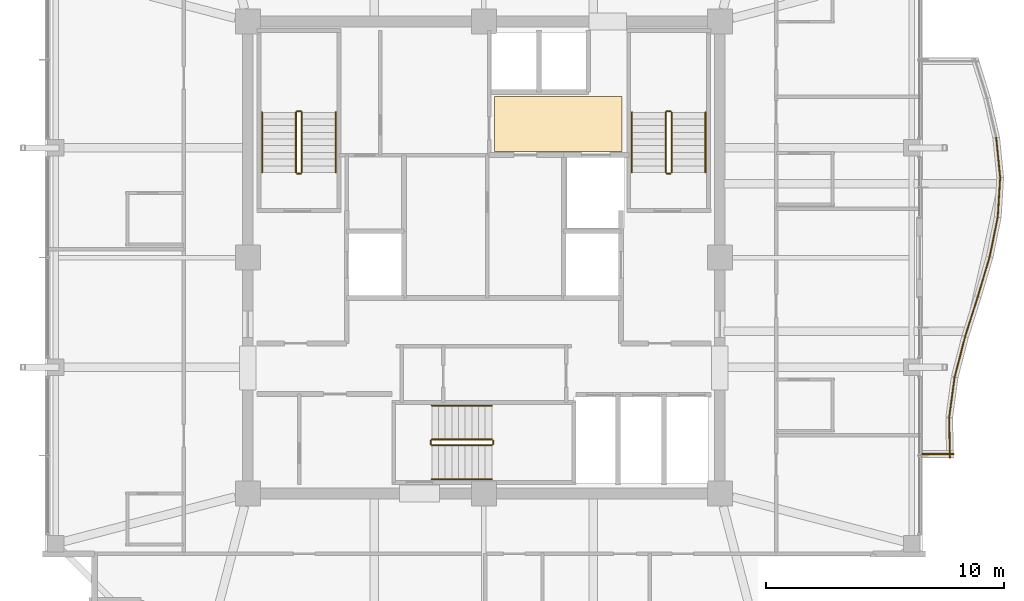
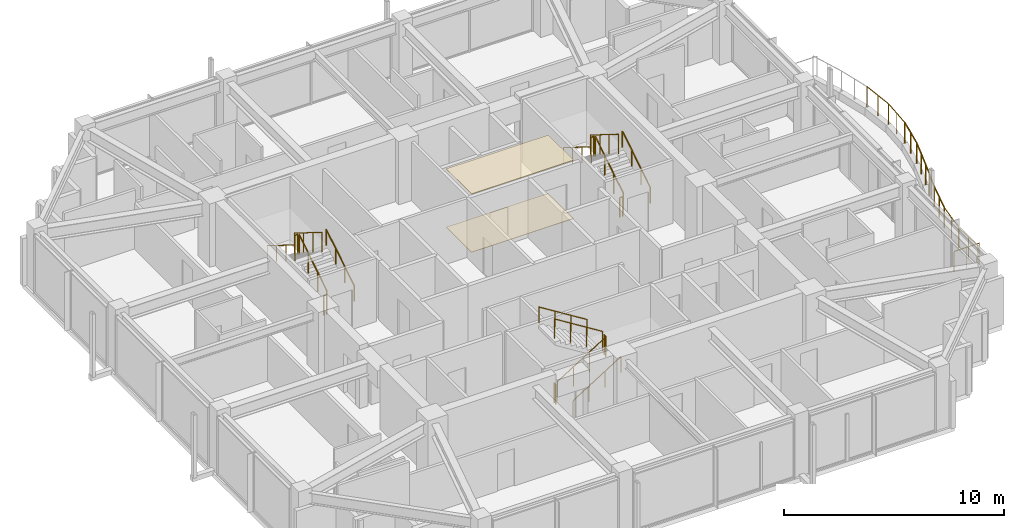
# One storey, part 28 of 29: 27 railings, 2 coverings.
"""IFC4 building model written with IfcOpenShell, lengths in metres."""

from ifc_helpers import new_model, si_unit, direction, frame, origin, origin_2d, place, context, subcontext, project, spatial, polyline, circle, outline, extrude, material, layer, layer_set, type_object, element, save


model = new_model("IFC4")

# Units and contexts
model_context = context("Model", 3, precision=1e-05, world=origin(), true_north=direction((0.0, 1.0)))
body_context = subcontext(model_context, "Body", "Model", "MODEL_VIEW")
ifc_project = project(units=[si_unit("LENGTHUNIT", "METRE"), si_unit("AREAUNIT", "SQUARE_METRE"), si_unit("VOLUMEUNIT", "CUBIC_METRE"), si_unit("PLANEANGLEUNIT", "RADIAN"), si_unit("MASSUNIT", "GRAM", prefix="KILO")], contexts=[model_context])

# Site, building, storey
site_placement = place(None, origin())
site = spatial("IfcSite", under=ifc_project, at=site_placement, CompositionType="ELEMENT")
building_placement = place(site_placement, origin())
building = spatial("IfcBuilding", under=site, at=building_placement, Name="Kolvaren Belvedere", CompositionType="ELEMENT")
storey_placement = place(building_placement, frame((0.0, 0.0, 244.39990234375)))
storey = spatial("IfcBuildingStorey", under=building, at=storey_placement, Name="L71", CompositionType="ELEMENT", Elevation=244.39990234375)

# Coverings
ifc_material_1 = material(Name="Acoustic perforated gypsum board", Category="gypsum")
ifc_layer_1 = layer(ifc_material_1, 0.02490234375)
ifc_layer_set_1 = layer_set([ifc_layer_1], Name="Acoustic perforated gypsum board")
covering_type_1 = type_object("IfcCoveringType", Name="COV-CEIL-GYP", PredefinedType="CEILING", material=ifc_layer_set_1)
covering_1_placement = place(storey_placement, frame((0.0, 0.0, 3.22509765625)))
element("IfcCovering", 1, at=covering_1_placement, inside=storey, type_object=covering_type_1, Name="L71 Lift Lobby Acoustic Baffle Ceiling", PredefinedType="CEILING", context=body_context, shape_type="SweptSolid", body=[
    extrude(outline(polyline([(0.449951171875, 4.449951171875), (5.800048828125, 4.449951171875), (5.800048828125, 6.75), (0.449951171875, 6.75), (0.449951171875, 4.449951171875)])), origin(), (0.0, 0.0, 1.0), 0.02490234375),
])
ifc_material_2 = material(Name="Engineered Pacific white oak", Category="timber")
ifc_layer_2 = layer(ifc_material_2, 0.02001953125)
ifc_layer_set_2 = layer_set([ifc_layer_2], Name="Engineered Pacific white oak")
covering_type_2 = type_object("IfcCoveringType", Name="COV-FLR-OAK", PredefinedType="FLOORING", material=ifc_layer_set_2)
covering_2_placement = place(storey_placement, origin())
element("IfcCovering", 2, at=covering_2_placement, inside=storey, type_object=covering_type_2, Name="L71 Lift Lobby Finish Flooring", PredefinedType="FLOORING", context=body_context, shape_type="SweptSolid", body=[
    extrude(outline(polyline([(0.449951171875, 4.449951171875), (5.800048828125, 4.449951171875), (5.800048828125, 6.75), (0.449951171875, 6.75), (0.449951171875, 4.449951171875)])), origin(), (0.0, 0.0, 1.0), 0.02001953125),
])

# Railings
ifc_material_3 = material(Name="Anodised pale-metal aluminium & laminated glass guard", Category="aluminium")
railing_type_1 = type_object("IfcRailingType", Name="RL-GUARD-1150", PredefinedType="GUARDRAIL", material=ifc_material_3)
railing_1_placement = place(storey_placement, frame((19.552978515625, -8.4033203125, 0.35009765625)))
element("IfcRailing", 3, at=railing_1_placement, inside=storey, type_object=railing_type_1, Name="L71 Exterior Deck Safety Guard BAL-E-1", PredefinedType="GUARDRAIL", context=body_context, shape_type="SweptSolid", body=[
    extrude(circle(Radius=0.02392578125, at=origin_2d()), frame((0.0, 0.0, 1.1259765625), z_axis=(-0.020193498486, 0.99979609052, 0.0), x_axis=(-0.99979609052, -0.020193498486, 0.0)), (0.0, 0.0, 1.0), 1.680419921875),
    extrude(circle(Radius=0.02099609375, at=origin_2d()), origin(), (0.0, 0.0, 1.0), 1.101806640625),
    extrude(circle(Radius=0.02099609375, at=origin_2d()), frame((-0.01708984375, 0.840087890625, 0.0)), (0.0, 0.0, 1.0), 1.101806640625),
    extrude(circle(Radius=0.02099609375, at=origin_2d()), frame((-0.033935546875, 1.68017578125, 0.0)), (0.0, 0.0, 1.0), 1.101806640625),
])
railing_2_placement = place(storey_placement, frame((19.5205078125, -6.698486328125, 0.35009765625)))
element("IfcRailing", 4, at=railing_2_placement, inside=storey, type_object=railing_type_1, Name="L71 Exterior Deck Safety Guard BAL-E-2", PredefinedType="GUARDRAIL", context=body_context, shape_type="SweptSolid", body=[
    extrude(circle(Radius=0.02392578125, at=origin_2d()), frame((0.0, 0.0, 1.1259765625), z_axis=(0.134907602079, 0.990858183042, 0.0), x_axis=(-0.990858183042, 0.134907602079, 0.0)), (0.0, 0.0, 1.0), 1.695556640625),
    extrude(circle(Radius=0.02099609375, at=origin_2d()), origin(), (0.0, 0.0, 1.0), 1.101806640625),
    extrude(circle(Radius=0.02099609375, at=origin_2d()), frame((0.1142578125, 0.840087890625, 0.0)), (0.0, 0.0, 1.0), 1.101806640625),
    extrude(circle(Radius=0.02099609375, at=origin_2d()), frame((0.228759765625, 1.68017578125, 0.0)), (0.0, 0.0, 1.0), 1.101806640625),
])
railing_3_placement = place(storey_placement, frame((19.7529296875, -5.0, 0.35009765625)))
element("IfcRailing", 5, at=railing_3_placement, inside=storey, type_object=railing_type_1, Name="L71 Exterior Deck Safety Guard BAL-E-3", PredefinedType="GUARDRAIL", context=body_context, shape_type="SweptSolid", body=[
    extrude(circle(Radius=0.02392578125, at=origin_2d()), frame((0.0, 0.0, 1.1259765625), z_axis=(0.250405556038, 0.968141031826, 0.0), x_axis=(-0.968141031826, 0.250405556038, 0.0)), (0.0, 0.0, 1.0), 1.7353515625),
    extrude(circle(Radius=0.02099609375, at=origin_2d()), origin(), (0.0, 0.0, 1.0), 1.101806640625),
    extrude(circle(Radius=0.02099609375, at=origin_2d()), frame((0.21728515625, 0.840087890625, 0.0)), (0.0, 0.0, 1.0), 1.101806640625),
    extrude(circle(Radius=0.02099609375, at=origin_2d()), frame((0.4345703125, 1.68017578125, 0.0)), (0.0, 0.0, 1.0), 1.101806640625),
])
railing_4_placement = place(storey_placement, frame((20.18994140625, -3.3115234375, 0.35009765625)))
element("IfcRailing", 6, at=railing_4_placement, inside=storey, type_object=railing_type_1, Name="L71 Exterior Deck Safety Guard BAL-E-4", PredefinedType="GUARDRAIL", context=body_context, shape_type="SweptSolid", body=[
    extrude(circle(Radius=0.02392578125, at=origin_2d()), frame((0.0, 0.0, 1.1259765625), z_axis=(0.302397356111, 0.953181954832, 0.0), x_axis=(-0.953181954832, 0.302397356111, 0.0)), (0.0, 0.0, 1.0), 1.762451171875),
    extrude(circle(Radius=0.02099609375, at=origin_2d()), origin(), (0.0, 0.0, 1.0), 1.101806640625),
    extrude(circle(Radius=0.02099609375, at=origin_2d()), frame((0.2666015625, 0.83984375, 0.0)), (0.0, 0.0, 1.0), 1.101806640625),
    extrude(circle(Radius=0.02099609375, at=origin_2d()), frame((0.532958984375, 1.679931640625, 0.0)), (0.0, 0.0, 1.0), 1.101806640625),
])
railing_5_placement = place(storey_placement, frame((20.721923828125, -1.634521484375, 0.35009765625)))
element("IfcRailing", 7, at=railing_5_placement, inside=storey, type_object=railing_type_1, Name="L71 Exterior Deck Safety Guard BAL-E-5", PredefinedType="GUARDRAIL", context=body_context, shape_type="SweptSolid", body=[
    extrude(circle(Radius=0.02392578125, at=origin_2d()), frame((0.0, 0.0, 1.1259765625), z_axis=(0.284970268083, 0.958536356279, 0.0), x_axis=(-0.958536356279, 0.284970268083, 0.0)), (0.0, 0.0, 1.0), 1.7529296875),
    extrude(circle(Radius=0.02099609375, at=origin_2d()), origin(), (0.0, 0.0, 1.0), 1.101806640625),
    extrude(circle(Radius=0.02099609375, at=origin_2d()), frame((0.249755859375, 0.840087890625, 0.0)), (0.0, 0.0, 1.0), 1.101806640625),
    extrude(circle(Radius=0.02099609375, at=origin_2d()), frame((0.49951171875, 1.68017578125, 0.0)), (0.0, 0.0, 1.0), 1.101806640625),
])
railing_6_placement = place(storey_placement, frame((21.218017578125, 0.031982421875, 0.35009765625)))
element("IfcRailing", 8, at=railing_6_placement, inside=storey, type_object=railing_type_1, Name="L71 Exterior Deck Safety Guard BAL-E-6", PredefinedType="GUARDRAIL", context=body_context, shape_type="SweptSolid", body=[
    extrude(circle(Radius=0.02392578125, at=origin_2d()), frame((0.0, 0.0, 1.1259765625), z_axis=(0.199647526069, 0.979867779516, 0.0), x_axis=(-0.979867779516, 0.199647526069, 0.0)), (0.0, 0.0, 1.0), 1.71435546875),
    extrude(circle(Radius=0.02099609375, at=origin_2d()), origin(), (0.0, 0.0, 1.0), 1.101806640625),
    extrude(circle(Radius=0.02099609375, at=origin_2d()), frame((0.171142578125, 0.83984375, 0.0)), (0.0, 0.0, 1.0), 1.101806640625),
    extrude(circle(Radius=0.02099609375, at=origin_2d()), frame((0.34228515625, 1.679931640625, 0.0)), (0.0, 0.0, 1.0), 1.101806640625),
])
railing_7_placement = place(storey_placement, frame((21.5576171875, 1.689697265625, 0.35009765625)))
element("IfcRailing", 9, at=railing_7_placement, inside=storey, type_object=railing_type_1, Name="L71 Exterior Deck Safety Guard BAL-E-7", PredefinedType="GUARDRAIL", context=body_context, shape_type="SweptSolid", body=[
    extrude(circle(Radius=0.02392578125, at=origin_2d()), frame((0.0, 0.0, 1.1259765625), z_axis=(0.061059932685, 0.998134101522, 0.0), x_axis=(-0.998134101522, 0.061059932685, 0.0)), (0.0, 0.0, 1.0), 1.683349609375),
    extrude(circle(Radius=0.02099609375, at=origin_2d()), origin(), (0.0, 0.0, 1.0), 1.101806640625),
    extrude(circle(Radius=0.02099609375, at=origin_2d()), frame((0.05126953125, 0.840087890625, 0.0)), (0.0, 0.0, 1.0), 1.101806640625),
    extrude(circle(Radius=0.02099609375, at=origin_2d()), frame((0.102783203125, 1.68017578125, 0.0)), (0.0, 0.0, 1.0), 1.101806640625),
])
railing_8_placement = place(storey_placement, frame((21.660888671875, 3.343994140625, 0.35009765625)))
element("IfcRailing", 10, at=railing_8_placement, inside=storey, type_object=railing_type_1, Name="L71 Exterior Deck Safety Guard BAL-E-8", PredefinedType="GUARDRAIL", context=body_context, shape_type="SweptSolid", body=[
    extrude(circle(Radius=0.02392578125, at=origin_2d()), frame((0.0, 0.0, 1.1259765625), z_axis=(-0.099618240186, 0.995025731437, 0.0), x_axis=(-0.995025731437, -0.099618240186, 0.0)), (0.0, 0.0, 1.0), 1.6884765625),
    extrude(circle(Radius=0.02099609375, at=origin_2d()), origin(), (0.0, 0.0, 1.0), 1.101806640625),
    extrude(circle(Radius=0.02099609375, at=origin_2d()), frame((-0.083984375, 0.840087890625, 0.0)), (0.0, 0.0, 1.0), 1.101806640625),
    extrude(circle(Radius=0.02099609375, at=origin_2d()), frame((-0.168212890625, 1.68017578125, 0.0)), (0.0, 0.0, 1.0), 1.101806640625),
])
railing_9_placement = place(storey_placement, frame((18.39990234375, -8.239990234375, 0.35009765625)))
element("IfcRailing", 11, at=railing_9_placement, inside=storey, type_object=railing_type_1, Name="L71 Exterior Deck Safety Guard BAL-E-22", PredefinedType="GUARDRAIL", context=body_context, shape_type="SweptSolid", body=[
    extrude(circle(Radius=0.02392578125, at=origin_2d()), frame((0.0, 0.0, 1.1259765625), z_axis=(1.0, 0.0, 0.0), x_axis=(0.0, 1.0, 0.0)), (0.0, 0.0, 1.0), 1.31298828125),
    extrude(circle(Radius=0.02099609375, at=origin_2d()), origin(), (0.0, 0.0, 1.0), 1.101806640625),
    extrude(circle(Radius=0.02099609375, at=origin_2d()), frame((0.656494140625, 0.0, 0.0)), (0.0, 0.0, 1.0), 1.101806640625),
    extrude(circle(Radius=0.02099609375, at=origin_2d()), frame((1.31298828125, 0.0, 0.0)), (0.0, 0.0, 1.0), 1.101806640625),
])
ifc_material_4 = material(Name="Brushed stainless-steel handrail", Category="steel")
railing_type_2 = type_object("IfcRailingType", Name="RL-HANDRAIL-920", PredefinedType="HANDRAIL", material=ifc_material_4)
railing_10_placement = place(storey_placement, frame((-6.2099609375, 3.570068359375, 0.175048828125)))
element("IfcRailing", 12, at=railing_10_placement, inside=storey, type_object=railing_type_2, Name="L71 ST-1 stair handrail 1", PredefinedType="HANDRAIL", context=body_context, shape_type="SweptSolid", body=[
    extrude(circle(Radius=0.02392578125, at=origin_2d()), frame((0.0, 0.0, 0.8759765625), z_axis=(0.0, 0.848007534815, 0.529984170421), x_axis=(-1.0, 0.0, 0.0)), (0.0, 0.0, 1.0), 2.9716796875),
    extrude(circle(Radius=0.02099609375, at=origin_2d()), origin(), (0.0, 0.0, 1.0), 0.851806640625),
    extrude(circle(Radius=0.02099609375, at=origin_2d()), frame((0.0, 0.840087890625, 0.52490234375)), (0.0, 0.0, 1.0), 0.851806640625),
    extrude(circle(Radius=0.02099609375, at=origin_2d()), frame((0.0, 1.679931640625, 1.050048828125)), (0.0, 0.0, 1.0), 0.851806640625),
    extrude(circle(Radius=0.02099609375, at=origin_2d()), frame((0.0, 2.52001953125, 1.574951171875)), (0.0, 0.0, 1.0), 0.851806640625),
])
railing_11_placement = place(storey_placement, frame((-9.300048828125, 6.090087890625, 1.925048828125)))
element("IfcRailing", 13, at=railing_11_placement, inside=storey, type_object=railing_type_2, Name="L71 ST-1 stair handrail 2", PredefinedType="HANDRAIL", context=body_context, shape_type="SweptSolid", body=[
    extrude(circle(Radius=0.02392578125, at=origin_2d()), frame((0.0, 0.0, 0.8759765625), z_axis=(0.0, -0.848007534815, 0.529984170421), x_axis=(1.0, 0.0, 0.0)), (0.0, 0.0, 1.0), 2.9716796875),
    extrude(circle(Radius=0.02099609375, at=origin_2d()), origin(), (0.0, 0.0, 1.0), 0.851806640625),
    extrude(circle(Radius=0.02099609375, at=origin_2d()), frame((0.0, -0.840087890625, 0.52490234375)), (0.0, 0.0, 1.0), 0.851806640625),
    extrude(circle(Radius=0.02099609375, at=origin_2d()), frame((0.0, -1.679931640625, 1.050048828125)), (0.0, 0.0, 1.0), 0.851806640625),
    extrude(circle(Radius=0.02099609375, at=origin_2d()), frame((0.0, -2.52001953125, 1.574951171875)), (0.0, 0.0, 1.0), 0.851806640625),
])
railing_12_placement = place(storey_placement, frame((9.300048828125, 3.570068359375, 0.175048828125)))
element("IfcRailing", 14, at=railing_12_placement, inside=storey, type_object=railing_type_2, Name="L71 ST-2 stair handrail 1", PredefinedType="HANDRAIL", context=body_context, shape_type="SweptSolid", body=[
    extrude(circle(Radius=0.02392578125, at=origin_2d()), frame((0.0, 0.0, 0.8759765625), z_axis=(0.0, 0.848007534815, 0.529984170421), x_axis=(-1.0, 0.0, 0.0)), (0.0, 0.0, 1.0), 2.9716796875),
    extrude(circle(Radius=0.02099609375, at=origin_2d()), origin(), (0.0, 0.0, 1.0), 0.851806640625),
    extrude(circle(Radius=0.02099609375, at=origin_2d()), frame((0.0, 0.840087890625, 0.52490234375)), (0.0, 0.0, 1.0), 0.851806640625),
    extrude(circle(Radius=0.02099609375, at=origin_2d()), frame((0.0, 1.679931640625, 1.050048828125)), (0.0, 0.0, 1.0), 0.851806640625),
    extrude(circle(Radius=0.02099609375, at=origin_2d()), frame((0.0, 2.52001953125, 1.574951171875)), (0.0, 0.0, 1.0), 0.851806640625),
])
railing_13_placement = place(storey_placement, frame((6.2099609375, 6.090087890625, 1.925048828125)))
element("IfcRailing", 15, at=railing_13_placement, inside=storey, type_object=railing_type_2, Name="L71 ST-2 stair handrail 2", PredefinedType="HANDRAIL", context=body_context, shape_type="SweptSolid", body=[
    extrude(circle(Radius=0.02392578125, at=origin_2d()), frame((0.0, 0.0, 0.8759765625), z_axis=(0.0, -0.848007534815, 0.529984170421), x_axis=(1.0, 0.0, 0.0)), (0.0, 0.0, 1.0), 2.9716796875),
    extrude(circle(Radius=0.02099609375, at=origin_2d()), origin(), (0.0, 0.0, 1.0), 0.851806640625),
    extrude(circle(Radius=0.02099609375, at=origin_2d()), frame((0.0, -0.840087890625, 0.52490234375)), (0.0, 0.0, 1.0), 0.851806640625),
    extrude(circle(Radius=0.02099609375, at=origin_2d()), frame((0.0, -1.679931640625, 1.050048828125)), (0.0, 0.0, 1.0), 0.851806640625),
    extrude(circle(Radius=0.02099609375, at=origin_2d()), frame((0.0, -2.52001953125, 1.574951171875)), (0.0, 0.0, 1.0), 0.851806640625),
])
railing_14_placement = place(storey_placement, frame((-2.179931640625, -9.300048828125, 0.175048828125)))
element("IfcRailing", 16, at=railing_14_placement, inside=storey, type_object=railing_type_2, Name="L71 ST-3 stair handrail 1", PredefinedType="HANDRAIL", context=body_context, shape_type="SweptSolid", body=[
    extrude(circle(Radius=0.02392578125, at=origin_2d()), frame((0.0, 0.0, 0.8759765625), z_axis=(0.848007534815, 0.0, 0.529984170421), x_axis=(0.0, 1.0, 0.0)), (0.0, 0.0, 1.0), 2.9716796875),
    extrude(circle(Radius=0.02099609375, at=origin_2d()), origin(), (0.0, 0.0, 1.0), 0.851806640625),
    extrude(circle(Radius=0.02099609375, at=origin_2d()), frame((0.840087890625, 0.0, 0.52490234375)), (0.0, 0.0, 1.0), 0.851806640625),
    extrude(circle(Radius=0.02099609375, at=origin_2d()), frame((1.679931640625, 0.0, 1.050048828125)), (0.0, 0.0, 1.0), 0.851806640625),
    extrude(circle(Radius=0.02099609375, at=origin_2d()), frame((2.52001953125, 0.0, 1.574951171875)), (0.0, 0.0, 1.0), 0.851806640625),
])
railing_15_placement = place(storey_placement, frame((0.340087890625, -6.2099609375, 1.925048828125)))
element("IfcRailing", 17, at=railing_15_placement, inside=storey, type_object=railing_type_2, Name="L71 ST-3 stair handrail 2", PredefinedType="HANDRAIL", context=body_context, shape_type="SweptSolid", body=[
    extrude(circle(Radius=0.02392578125, at=origin_2d()), frame((0.0, 0.0, 0.8759765625), z_axis=(-0.848007534815, 0.0, 0.529984170421), x_axis=(0.0, -1.0, 0.0)), (0.0, 0.0, 1.0), 2.9716796875),
    extrude(circle(Radius=0.02099609375, at=origin_2d()), origin(), (0.0, 0.0, 1.0), 0.851806640625),
    extrude(circle(Radius=0.02099609375, at=origin_2d()), frame((-0.840087890625, 0.0, 0.52490234375)), (0.0, 0.0, 1.0), 0.851806640625),
    extrude(circle(Radius=0.02099609375, at=origin_2d()), frame((-1.679931640625, 0.0, 1.050048828125)), (0.0, 0.0, 1.0), 0.851806640625),
    extrude(circle(Radius=0.02099609375, at=origin_2d()), frame((-2.52001953125, 0.0, 1.574951171875)), (0.0, 0.0, 1.0), 0.851806640625),
])
ifc_material_5 = material(Name="Painted tubular steel stair guard", Category="steel")
railing_type_3 = type_object("IfcRailingType", Name="RL-STGUARD-1100", PredefinedType="GUARDRAIL", material=ifc_material_5)
railing_16_placement = place(storey_placement, frame((-7.6298828125, 3.570068359375, 0.175048828125)))
element("IfcRailing", 18, at=railing_16_placement, inside=storey, type_object=railing_type_3, Name="L71 ST-1 stair guard 1", PredefinedType="GUARDRAIL", context=body_context, shape_type="SweptSolid", body=[
    extrude(circle(Radius=0.02392578125, at=origin_2d()), frame((0.0, 0.0, 1.076171875), z_axis=(0.0, 0.848007534815, 0.529984170421), x_axis=(-1.0, 0.0, 0.0)), (0.0, 0.0, 1.0), 2.9716796875),
    extrude(circle(Radius=0.02099609375, at=origin_2d()), origin(), (0.0, 0.0, 1.0), 1.052001953125),
    extrude(circle(Radius=0.02099609375, at=origin_2d()), frame((0.0, 0.840087890625, 0.52490234375)), (0.0, 0.0, 1.0), 1.052001953125),
    extrude(circle(Radius=0.02099609375, at=origin_2d()), frame((0.0, 1.679931640625, 1.050048828125)), (0.0, 0.0, 1.0), 1.052001953125),
    extrude(circle(Radius=0.02099609375, at=origin_2d()), frame((0.0, 2.52001953125, 1.574951171875)), (0.0, 0.0, 1.0), 1.052001953125),
])
railing_17_placement = place(storey_placement, frame((-7.679931640625, 6.139892578125, 1.75)))
element("IfcRailing", 19, at=railing_17_placement, inside=storey, type_object=railing_type_3, Name="L71 ST-1 stair guard 2", PredefinedType="GUARDRAIL", context=body_context, shape_type="SweptSolid", body=[
    extrude(circle(Radius=0.02392578125, at=origin_2d()), frame((0.0, 0.0, 1.076171875), z_axis=(-1.0, 0.0, 0.0), x_axis=(0.0, -1.0, 0.0)), (0.0, 0.0, 1.0), 0.150146484375),
    extrude(circle(Radius=0.02099609375, at=origin_2d()), origin(), (0.0, 0.0, 1.0), 1.052001953125),
    extrude(circle(Radius=0.02099609375, at=origin_2d()), frame((-0.150146484375, 0.0, 0.0)), (0.0, 0.0, 1.0), 1.052001953125),
])
railing_18_placement = place(storey_placement, frame((-7.8798828125, 6.090087890625, 1.925048828125)))
element("IfcRailing", 20, at=railing_18_placement, inside=storey, type_object=railing_type_3, Name="L71 ST-1 stair guard 3", PredefinedType="GUARDRAIL", context=body_context, shape_type="SweptSolid", body=[
    extrude(circle(Radius=0.02392578125, at=origin_2d()), frame((0.0, 0.0, 1.076171875), z_axis=(0.0, -0.848007534815, 0.529984170421), x_axis=(1.0, 0.0, 0.0)), (0.0, 0.0, 1.0), 2.9716796875),
    extrude(circle(Radius=0.02099609375, at=origin_2d()), origin(), (0.0, 0.0, 1.0), 1.052001953125),
    extrude(circle(Radius=0.02099609375, at=origin_2d()), frame((0.0, -0.840087890625, 0.52490234375)), (0.0, 0.0, 1.0), 1.052001953125),
    extrude(circle(Radius=0.02099609375, at=origin_2d()), frame((0.0, -1.679931640625, 1.050048828125)), (0.0, 0.0, 1.0), 1.052001953125),
    extrude(circle(Radius=0.02099609375, at=origin_2d()), frame((0.0, -2.52001953125, 1.574951171875)), (0.0, 0.0, 1.0), 1.052001953125),
])
railing_19_placement = place(storey_placement, frame((-7.679931640625, 3.52001953125, 0.0)))
element("IfcRailing", 21, at=railing_19_placement, inside=storey, type_object=railing_type_3, Name="L71 ST-1 stair guard 4", PredefinedType="GUARDRAIL", context=body_context, shape_type="SweptSolid", body=[
    extrude(circle(Radius=0.02392578125, at=origin_2d()), frame((0.0, 0.0, 1.076171875), z_axis=(-1.0, 0.0, 0.0), x_axis=(0.0, -1.0, 0.0)), (0.0, 0.0, 1.0), 0.150146484375),
    extrude(circle(Radius=0.02099609375, at=origin_2d()), origin(), (0.0, 0.0, 1.0), 1.052001953125),
    extrude(circle(Radius=0.02099609375, at=origin_2d()), frame((-0.150146484375, 0.0, 0.0)), (0.0, 0.0, 1.0), 1.052001953125),
])
railing_20_placement = place(storey_placement, frame((7.8798828125, 3.570068359375, 0.175048828125)))
element("IfcRailing", 22, at=railing_20_placement, inside=storey, type_object=railing_type_3, Name="L71 ST-2 stair guard 1", PredefinedType="GUARDRAIL", context=body_context, shape_type="SweptSolid", body=[
    extrude(circle(Radius=0.02392578125, at=origin_2d()), frame((0.0, 0.0, 1.076171875), z_axis=(0.0, 0.848007534815, 0.529984170421), x_axis=(-1.0, 0.0, 0.0)), (0.0, 0.0, 1.0), 2.9716796875),
    extrude(circle(Radius=0.02099609375, at=origin_2d()), origin(), (0.0, 0.0, 1.0), 1.052001953125),
    extrude(circle(Radius=0.02099609375, at=origin_2d()), frame((0.0, 0.840087890625, 0.52490234375)), (0.0, 0.0, 1.0), 1.052001953125),
    extrude(circle(Radius=0.02099609375, at=origin_2d()), frame((0.0, 1.679931640625, 1.050048828125)), (0.0, 0.0, 1.0), 1.052001953125),
    extrude(circle(Radius=0.02099609375, at=origin_2d()), frame((0.0, 2.52001953125, 1.574951171875)), (0.0, 0.0, 1.0), 1.052001953125),
])
railing_21_placement = place(storey_placement, frame((7.830078125, 6.139892578125, 1.75)))
element("IfcRailing", 23, at=railing_21_placement, inside=storey, type_object=railing_type_3, Name="L71 ST-2 stair guard 2", PredefinedType="GUARDRAIL", context=body_context, shape_type="SweptSolid", body=[
    extrude(circle(Radius=0.02392578125, at=origin_2d()), frame((0.0, 0.0, 1.076171875), z_axis=(-1.0, 0.0, 0.0), x_axis=(0.0, -1.0, 0.0)), (0.0, 0.0, 1.0), 0.150146484375),
    extrude(circle(Radius=0.02099609375, at=origin_2d()), origin(), (0.0, 0.0, 1.0), 1.052001953125),
    extrude(circle(Radius=0.02099609375, at=origin_2d()), frame((-0.150146484375, 0.0, 0.0)), (0.0, 0.0, 1.0), 1.052001953125),
])
railing_22_placement = place(storey_placement, frame((7.6298828125, 6.090087890625, 1.925048828125)))
element("IfcRailing", 24, at=railing_22_placement, inside=storey, type_object=railing_type_3, Name="L71 ST-2 stair guard 3", PredefinedType="GUARDRAIL", context=body_context, shape_type="SweptSolid", body=[
    extrude(circle(Radius=0.02392578125, at=origin_2d()), frame((0.0, 0.0, 1.076171875), z_axis=(0.0, -0.848007534815, 0.529984170421), x_axis=(1.0, 0.0, 0.0)), (0.0, 0.0, 1.0), 2.9716796875),
    extrude(circle(Radius=0.02099609375, at=origin_2d()), origin(), (0.0, 0.0, 1.0), 1.052001953125),
    extrude(circle(Radius=0.02099609375, at=origin_2d()), frame((0.0, -0.840087890625, 0.52490234375)), (0.0, 0.0, 1.0), 1.052001953125),
    extrude(circle(Radius=0.02099609375, at=origin_2d()), frame((0.0, -1.679931640625, 1.050048828125)), (0.0, 0.0, 1.0), 1.052001953125),
    extrude(circle(Radius=0.02099609375, at=origin_2d()), frame((0.0, -2.52001953125, 1.574951171875)), (0.0, 0.0, 1.0), 1.052001953125),
])
railing_23_placement = place(storey_placement, frame((7.830078125, 3.52001953125, 0.0)))
element("IfcRailing", 25, at=railing_23_placement, inside=storey, type_object=railing_type_3, Name="L71 ST-2 stair guard 4", PredefinedType="GUARDRAIL", context=body_context, shape_type="SweptSolid", body=[
    extrude(circle(Radius=0.02392578125, at=origin_2d()), frame((0.0, 0.0, 1.076171875), z_axis=(-1.0, 0.0, 0.0), x_axis=(0.0, -1.0, 0.0)), (0.0, 0.0, 1.0), 0.150146484375),
    extrude(circle(Radius=0.02099609375, at=origin_2d()), origin(), (0.0, 0.0, 1.0), 1.052001953125),
    extrude(circle(Radius=0.02099609375, at=origin_2d()), frame((-0.150146484375, 0.0, 0.0)), (0.0, 0.0, 1.0), 1.052001953125),
])
railing_24_placement = place(storey_placement, frame((-2.179931640625, -7.8798828125, 0.175048828125)))
element("IfcRailing", 26, at=railing_24_placement, inside=storey, type_object=railing_type_3, Name="L71 ST-3 stair guard 1", PredefinedType="GUARDRAIL", context=body_context, shape_type="SweptSolid", body=[
    extrude(circle(Radius=0.02392578125, at=origin_2d()), frame((0.0, 0.0, 1.076171875), z_axis=(0.848007534815, 0.0, 0.529984170421), x_axis=(0.0, 1.0, 0.0)), (0.0, 0.0, 1.0), 2.9716796875),
    extrude(circle(Radius=0.02099609375, at=origin_2d()), origin(), (0.0, 0.0, 1.0), 1.052001953125),
    extrude(circle(Radius=0.02099609375, at=origin_2d()), frame((0.840087890625, 0.0, 0.52490234375)), (0.0, 0.0, 1.0), 1.052001953125),
    extrude(circle(Radius=0.02099609375, at=origin_2d()), frame((1.679931640625, 0.0, 1.050048828125)), (0.0, 0.0, 1.0), 1.052001953125),
    extrude(circle(Radius=0.02099609375, at=origin_2d()), frame((2.52001953125, 0.0, 1.574951171875)), (0.0, 0.0, 1.0), 1.052001953125),
])
railing_25_placement = place(storey_placement, frame((0.389892578125, -7.830078125, 1.75)))
element("IfcRailing", 27, at=railing_25_placement, inside=storey, type_object=railing_type_3, Name="L71 ST-3 stair guard 2", PredefinedType="GUARDRAIL", context=body_context, shape_type="SweptSolid", body=[
    extrude(circle(Radius=0.02392578125, at=origin_2d()), frame((0.0, 0.0, 1.076171875), z_axis=(0.0, 1.0, 0.0), x_axis=(-1.0, 0.0, 0.0)), (0.0, 0.0, 1.0), 0.150146484375),
    extrude(circle(Radius=0.02099609375, at=origin_2d()), origin(), (0.0, 0.0, 1.0), 1.052001953125),
    extrude(circle(Radius=0.02099609375, at=origin_2d()), frame((0.0, 0.150146484375, 0.0)), (0.0, 0.0, 1.0), 1.052001953125),
])
railing_26_placement = place(storey_placement, frame((0.340087890625, -7.6298828125, 1.925048828125)))
element("IfcRailing", 28, at=railing_26_placement, inside=storey, type_object=railing_type_3, Name="L71 ST-3 stair guard 3", PredefinedType="GUARDRAIL", context=body_context, shape_type="SweptSolid", body=[
    extrude(circle(Radius=0.02392578125, at=origin_2d()), frame((0.0, 0.0, 1.076171875), z_axis=(-0.848007534815, 0.0, 0.529984170421), x_axis=(0.0, -1.0, 0.0)), (0.0, 0.0, 1.0), 2.9716796875),
    extrude(circle(Radius=0.02099609375, at=origin_2d()), origin(), (0.0, 0.0, 1.0), 1.052001953125),
    extrude(circle(Radius=0.02099609375, at=origin_2d()), frame((-0.840087890625, 0.0, 0.52490234375)), (0.0, 0.0, 1.0), 1.052001953125),
    extrude(circle(Radius=0.02099609375, at=origin_2d()), frame((-1.679931640625, 0.0, 1.050048828125)), (0.0, 0.0, 1.0), 1.052001953125),
    extrude(circle(Radius=0.02099609375, at=origin_2d()), frame((-2.52001953125, 0.0, 1.574951171875)), (0.0, 0.0, 1.0), 1.052001953125),
])
railing_27_placement = place(storey_placement, frame((-2.22998046875, -7.830078125, 0.0)))
element("IfcRailing", 29, at=railing_27_placement, inside=storey, type_object=railing_type_3, Name="L71 ST-3 stair guard 4", PredefinedType="GUARDRAIL", context=body_context, shape_type="SweptSolid", body=[
    extrude(circle(Radius=0.02392578125, at=origin_2d()), frame((0.0, 0.0, 1.076171875), z_axis=(0.0, 1.0, 0.0), x_axis=(-1.0, 0.0, 0.0)), (0.0, 0.0, 1.0), 0.150146484375),
    extrude(circle(Radius=0.02099609375, at=origin_2d()), origin(), (0.0, 0.0, 1.0), 1.052001953125),
    extrude(circle(Radius=0.02099609375, at=origin_2d()), frame((0.0, 0.150146484375, 0.0)), (0.0, 0.0, 1.0), 1.052001953125),
])

save(model, "model.ifc")
